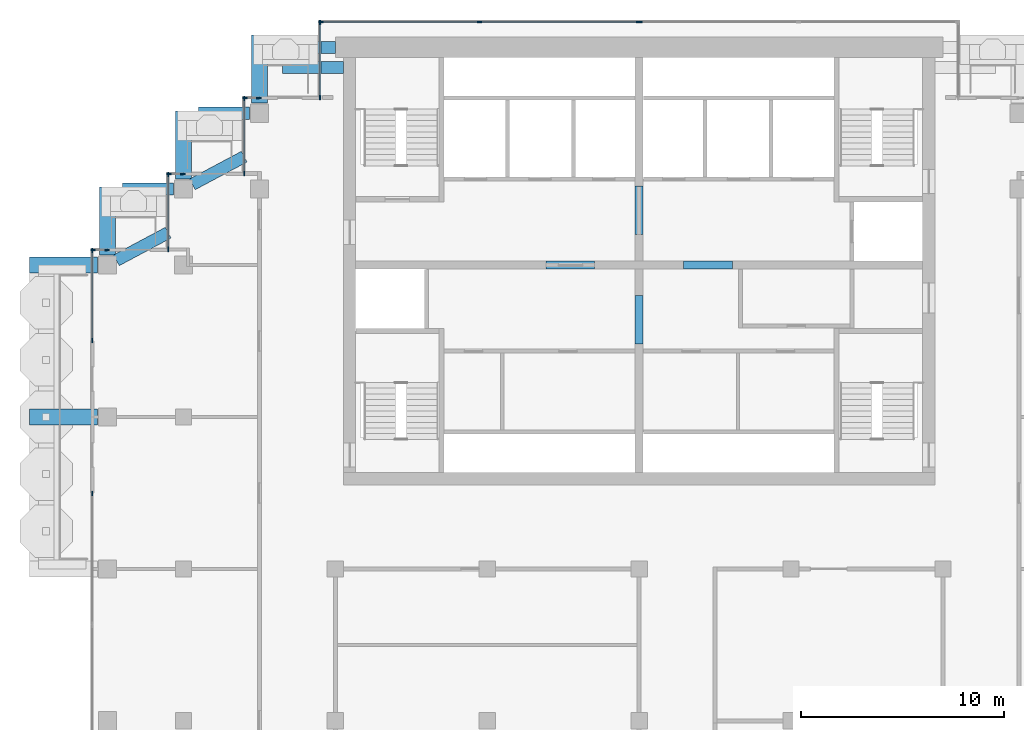
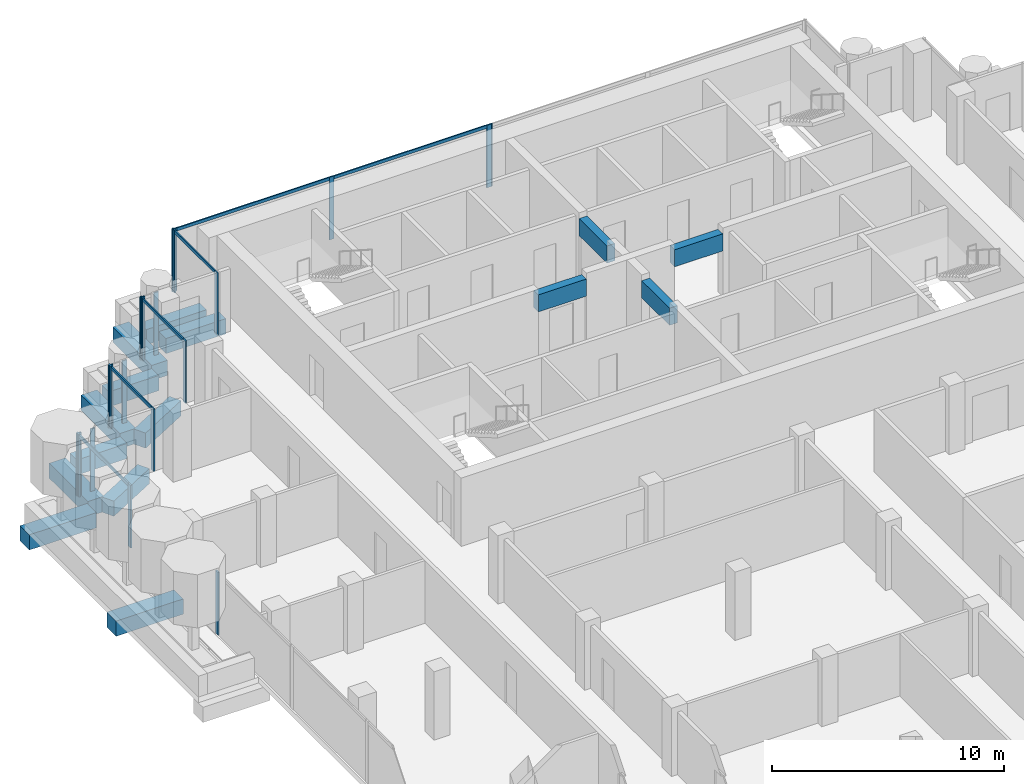
# One storey, part 5 of 18: 25 members, 15 beams, 10 elements without a shape of their own.
"""IFC4 building model written with IfcOpenShell, lengths in metres."""

from ifc_helpers import new_model, si_unit, direction, frame, origin, origin_2d, place, context, subcontext, project, spatial, rectangle, extrude, material, material_profile, profile_set, type_object, element, aggregate, save


model = new_model("IFC4")

# Units and contexts
model_context = context("Model", 3, precision=1e-05, world=origin(), true_north=direction((0.0, 1.0)))
body_context = subcontext(model_context, "Body", "Model", "MODEL_VIEW")
ifc_project = project(units=[si_unit("LENGTHUNIT", "METRE"), si_unit("AREAUNIT", "SQUARE_METRE"), si_unit("VOLUMEUNIT", "CUBIC_METRE"), si_unit("PLANEANGLEUNIT", "RADIAN"), si_unit("MASSUNIT", "GRAM", prefix="KILO")], contexts=[model_context])

# Site, building, storey
site_placement = place(None, origin())
site = spatial("IfcSite", under=ifc_project, at=site_placement, CompositionType="ELEMENT")
building_placement = place(site_placement, origin())
building = spatial("IfcBuilding", under=site, at=building_placement, Name="Pilkhan Gate Tower", CompositionType="ELEMENT")
storey_placement = place(building_placement, frame((0.0, 0.0, 228.300048828125)))
storey = spatial("IfcBuildingStorey", under=building, at=storey_placement, Name="L59", CompositionType="ELEMENT", Elevation=228.300048828125)

# Beams
ifc_material_1 = material(Name="Concrete C50/60", Category="concrete")
ifc_material_profile_1 = material_profile(ifc_material_1, rectangle(XDim=0.60009765625, YDim=0.800048828125, at=origin_2d()), Name="RC 600x800")
ifc_profile_set_1 = profile_set([ifc_material_profile_1], Name="Concrete C50/60")
beam_type_1 = type_object("IfcBeamType", Name="Cantilever beam CB1 RC 600x800 C50/60", PredefinedType="BEAM", material=ifc_profile_set_1)
for number, where, z_axis, x_axis, name in (
    (1, (60.0, 93.25, -0.699951171875), (-1.0, 0.0, 0.0), (0.0, -1.0, 0.0), "Balcony beam NW.2 L59"),
    (2, (60.39990234375, 92.25, -0.699951171875), (-1.0, 0.0, 0.0), (0.0, -1.0, 0.0), "Balcony beam NW.3 L59"),
):
    element("IfcBeam", number, at=place(storey_placement, frame(where, z_axis=z_axis, x_axis=x_axis)), inside=storey, type_object=beam_type_1, Name=name, PredefinedType="BEAM", context=body_context, shape_type="SweptSolid", body=[
        extrude(rectangle(XDim=0.60009765625, YDim=0.800048828125, at=origin_2d()), origin(), (0.0, 0.0, 1.0), 3.0),
    ])
beam_1_placement = place(storey_placement, frame((55.75, 90.0, -0.699951171875), z_axis=(-1.0, 0.0, 0.0), x_axis=(0.0, -1.0, 0.0)))
element("IfcBeam", 3, at=beam_1_placement, inside=storey, type_object=beam_type_1, Name="Balcony beam NW1.2 L59", PredefinedType="BEAM", context=body_context, shape_type="SweptSolid", body=[
    extrude(rectangle(XDim=0.60009765625, YDim=0.800048828125, at=origin_2d()), origin(), (0.0, 0.0, 1.0), 2.5),
])
beam_2_placement = place(storey_placement, frame((52.941162109375, 86.4853515625, -0.699951171875), z_axis=(0.882348280344, 0.470596974251, 0.0), x_axis=(-0.470596974251, 0.882348280344, 0.0)))
element("IfcBeam", 4, at=beam_2_placement, inside=storey, type_object=beam_type_1, Name="Balcony beam NW1.3 L59", PredefinedType="BEAM", context=body_context, shape_type="SweptSolid", body=[
    extrude(rectangle(XDim=0.60009765625, YDim=0.800048828125, at=origin_2d()), origin(), (0.0, 0.0, 1.0), 2.900146484375),
])
beam_3_placement = place(storey_placement, frame((52.0, 86.25, -0.699951171875), z_axis=(-1.0, 0.0, 0.0), x_axis=(0.0, -1.0, 0.0)))
element("IfcBeam", 5, at=beam_3_placement, inside=storey, type_object=beam_type_1, Name="Balcony beam NW2.2 L59", PredefinedType="BEAM", context=body_context, shape_type="SweptSolid", body=[
    extrude(rectangle(XDim=0.60009765625, YDim=0.800048828125, at=origin_2d()), origin(), (0.0, 0.0, 1.0), 2.5),
])
beam_4_placement = place(storey_placement, frame((49.191162109375, 82.7353515625, -0.699951171875), z_axis=(0.882348280344, 0.470596974251, 0.0), x_axis=(-0.470596974251, 0.882348280344, 0.0)))
element("IfcBeam", 6, at=beam_4_placement, inside=storey, type_object=beam_type_1, Name="Balcony beam NW2.3 L59", PredefinedType="BEAM", context=body_context, shape_type="SweptSolid", body=[
    extrude(rectangle(XDim=0.60009765625, YDim=0.800048828125, at=origin_2d()), origin(), (0.0, 0.0, 1.0), 2.900146484375),
])
ifc_material_profile_2 = material_profile(ifc_material_1, rectangle(XDim=0.800048828125, YDim=0.800048828125, at=origin_2d()), Name="RC 800x800")
ifc_profile_set_2 = profile_set([ifc_material_profile_2], Name="Concrete C50/60")
beam_type_2 = type_object("IfcBeamType", Name="Cantilever beam CB2 RC 800x800 C50/60", PredefinedType="BEAM", material=ifc_profile_set_2)
for number, where, z_axis, x_axis, name in (
    (7, (56.25, 90.5, -0.699951171875), (0.0, 1.0, 0.0), (-1.0, 0.0, 0.0), "Balcony beam NW.1 L59"),
    (8, (52.5, 86.75, -0.699951171875), (0.0, 1.0, 0.0), (-1.0, 0.0, 0.0), "Balcony beam NW1.1 L59"),
    (9, (48.75, 83.0, -0.699951171875), (0.0, 1.0, 0.0), (-1.0, 0.0, 0.0), "Balcony beam NW2.1 L59"),
    (10, (48.25, 75.0, -0.699951171875), (-1.0, 0.0, 0.0), (0.0, -1.0, 0.0), "Balcony beam W.2 L59"),
    (11, (48.25, 82.5, -0.699951171875), (-1.0, 0.0, 0.0), (0.0, -1.0, 0.0), "Balcony beam W.3 L59"),
):
    element("IfcBeam", number, at=place(storey_placement, frame(where, z_axis=z_axis, x_axis=x_axis)), inside=storey, type_object=beam_type_2, Name=name, PredefinedType="BEAM", context=body_context, shape_type="SweptSolid", body=[
        extrude(rectangle(XDim=0.800048828125, YDim=0.800048828125, at=origin_2d()), origin(), (0.0, 0.0, 1.0), 3.35009765625),
    ])
ifc_material_profile_3 = material_profile(ifc_material_1, rectangle(XDim=0.39990234375, YDim=0.89990234375, at=origin_2d()), Name="RC 400x900")
ifc_profile_set_3 = profile_set([ifc_material_profile_3], Name="Concrete C50/60")
beam_type_3 = type_object("IfcBeamType", Name="Coupling beam CB90-4 RC 400x900 C50/60", PredefinedType="LINTEL", material=ifc_profile_set_3)
for number, where, z_axis, x_axis, name in (
    (12, (70.39990234375, 82.5, 2.849853515625), (1.0, 0.0, 0.0), (0.0, 1.0, 0.0), "Coupling beam 1 L59"),
    (13, (77.199951171875, 82.5, 2.849853515625), (1.0, 0.0, 0.0), (0.0, 1.0, 0.0), "Coupling beam 2 L59"),
):
    element("IfcBeam", number, at=place(storey_placement, frame(where, z_axis=z_axis, x_axis=x_axis)), inside=storey, type_object=beam_type_3, Name=name, PredefinedType="LINTEL", context=body_context, shape_type="SweptSolid", body=[
        extrude(rectangle(XDim=0.39990234375, YDim=0.89990234375, at=origin_2d()), origin(), (0.0, 0.0, 1.0), 2.400146484375),
    ])
for number, where, z_axis, x_axis, name in (
    (14, (75.0, 78.60009765625, 2.849853515625), (0.0, 1.0, 0.0), (-1.0, 0.0, 0.0), "Coupling beam 3 L59"),
    (15, (75.0, 84.0, 2.849853515625), (0.0, 1.0, 0.0), (-1.0, 0.0, 0.0), "Coupling beam 4 L59"),
):
    element("IfcBeam", number, at=place(storey_placement, frame(where, z_axis=z_axis, x_axis=x_axis)), inside=storey, type_object=beam_type_3, Name=name, PredefinedType="LINTEL", context=body_context, shape_type="SweptSolid", body=[
        extrude(rectangle(XDim=0.39990234375, YDim=0.89990234375, at=origin_2d()), origin(), (0.0, 0.0, 1.0), 2.39990234375),
    ])

# Curtain wall, members
ifc_material_2 = material(Name="Pale anodised aluminium, clear low-iron double glazing", Category="aluminium")
curtain_wall_type = type_object("IfcCurtainWallType", Name="Office unitised curtain wall CW-O2", PredefinedType="USERDEFINED", material=ifc_material_2)
curtain_wall_1_placement = place(storey_placement, origin())
curtain_wall_1 = element("IfcCurtainWall", 16, at=curtain_wall_1_placement, inside=storey, type_object=curtain_wall_type, Name="Office unitised curtain wall CW-O2 L59 N", ObjectType="UNITISED CURTAIN WALL", PredefinedType="USERDEFINED")
ifc_material_3 = material(Name="Pale anodised aluminium", Category="aluminium")
ifc_material_profile_4 = material_profile(ifc_material_3, rectangle(XDim=0.06494140625, YDim=0.22509765625, at=origin_2d()), Name="Mullion 225x65")
ifc_profile_set_4 = profile_set([ifc_material_profile_4], Name="Pale anodised aluminium")
member_type_1 = type_object("IfcMemberType", Name="Mullion CW-O2 225x65", PredefinedType="MULLION", material=ifc_profile_set_4)
member_1_placement = place(storey_placement, frame((59.282470703125, 94.5, 0.0), z_axis=(0.0, 0.0, 1.0), x_axis=(0.0, 1.0, 0.0)))
member_1 = element("IfcMember", 17, at=member_1_placement, type_object=member_type_1, Name="CW-O2 mullion 1", PredefinedType="MULLION", context=body_context, shape_type="SweptSolid", body=[
    extrude(rectangle(XDim=0.06494140625, YDim=0.22509765625, at=origin_2d()), origin(), (0.0, 0.0, 1.0), 3.300048828125),
])
member_2_placement = place(storey_placement, frame((67.125, 94.5, 0.0), z_axis=(0.0, 0.0, 1.0), x_axis=(0.0, 1.0, 0.0)))
member_2 = element("IfcMember", 18, at=member_2_placement, type_object=member_type_1, Name="CW-O2 mullion 2", PredefinedType="MULLION", context=body_context, shape_type="SweptSolid", body=[
    extrude(rectangle(XDim=0.06494140625, YDim=0.22509765625, at=origin_2d()), origin(), (0.0, 0.0, 1.0), 3.300048828125),
])
member_3_placement = place(storey_placement, frame((74.967529296875, 94.5, 0.0), z_axis=(0.0, 0.0, 1.0), x_axis=(0.0, 1.0, 0.0)))
member_3 = element("IfcMember", 19, at=member_3_placement, type_object=member_type_1, Name="CW-O2 mullion 3", PredefinedType="MULLION", context=body_context, shape_type="SweptSolid", body=[
    extrude(rectangle(XDim=0.06494140625, YDim=0.22509765625, at=origin_2d()), origin(), (0.0, 0.0, 1.0), 3.300048828125),
])

# Curtain wall, member
curtain_wall_2_placement = place(storey_placement, origin())
curtain_wall_2 = element("IfcCurtainWall", 20, at=curtain_wall_2_placement, inside=storey, type_object=curtain_wall_type, Name="Office unitised curtain wall CW-O2 L59 N", ObjectType="UNITISED CURTAIN WALL", PredefinedType="USERDEFINED")
member_4_placement = place(storey_placement, frame((75.032470703125, 94.5, 0.0), z_axis=(0.0, 0.0, 1.0), x_axis=(0.0, 1.0, 0.0)))
member_4 = element("IfcMember", 21, at=member_4_placement, type_object=member_type_1, Name="CW-O2 mullion 1", PredefinedType="MULLION", context=body_context, shape_type="SweptSolid", body=[
    extrude(rectangle(XDim=0.06494140625, YDim=0.22509765625, at=origin_2d()), origin(), (0.0, 0.0, 1.0), 3.300048828125),
])
aggregate(curtain_wall_2, [member_4])

# Curtain wall, members
curtain_wall_3_placement = place(storey_placement, origin())
curtain_wall_3 = element("IfcCurtainWall", 22, at=curtain_wall_3_placement, inside=storey, type_object=curtain_wall_type, Name="Office unitised curtain wall CW-O2 L59 W", ObjectType="UNITISED CURTAIN WALL", PredefinedType="USERDEFINED")
member_5_placement = place(storey_placement, frame((59.25, 90.782470703125, 0.0), z_axis=(0.0, 0.0, 1.0), x_axis=(-1.0, 0.0, 0.0)))
member_5 = element("IfcMember", 23, at=member_5_placement, type_object=member_type_1, Name="CW-O2 mullion 1", PredefinedType="MULLION", context=body_context, shape_type="SweptSolid", body=[
    extrude(rectangle(XDim=0.06494140625, YDim=0.22509765625, at=origin_2d()), origin(), (0.0, 0.0, 1.0), 3.300048828125),
])
member_6_placement = place(storey_placement, frame((59.25, 94.467529296875, 0.0), z_axis=(0.0, 0.0, 1.0), x_axis=(-1.0, 0.0, 0.0)))
member_6 = element("IfcMember", 24, at=member_6_placement, type_object=member_type_1, Name="CW-O2 mullion 2", PredefinedType="MULLION", context=body_context, shape_type="SweptSolid", body=[
    extrude(rectangle(XDim=0.06494140625, YDim=0.22509765625, at=origin_2d()), origin(), (0.0, 0.0, 1.0), 3.300048828125),
])

curtain_wall_4_placement = place(storey_placement, origin())
curtain_wall_4 = element("IfcCurtainWall", 25, at=curtain_wall_4_placement, inside=storey, type_object=curtain_wall_type, Name="Office unitised curtain wall CW-O2 L59 N", ObjectType="UNITISED CURTAIN WALL", PredefinedType="USERDEFINED")
member_7_placement = place(storey_placement, frame((55.532470703125, 90.75, 0.0), z_axis=(0.0, 0.0, 1.0), x_axis=(0.0, 1.0, 0.0)))
member_7 = element("IfcMember", 26, at=member_7_placement, type_object=member_type_1, Name="CW-O2 mullion 1", PredefinedType="MULLION", context=body_context, shape_type="SweptSolid", body=[
    extrude(rectangle(XDim=0.06494140625, YDim=0.22509765625, at=origin_2d()), origin(), (0.0, 0.0, 1.0), 3.300048828125),
])
member_8_placement = place(storey_placement, frame((56.217529296875, 90.75, 0.0), z_axis=(0.0, 0.0, 1.0), x_axis=(0.0, 1.0, 0.0)))
member_8 = element("IfcMember", 27, at=member_8_placement, type_object=member_type_1, Name="CW-O2 mullion 2", PredefinedType="MULLION", context=body_context, shape_type="SweptSolid", body=[
    extrude(rectangle(XDim=0.06494140625, YDim=0.22509765625, at=origin_2d()), origin(), (0.0, 0.0, 1.0), 3.300048828125),
])
aggregate(curtain_wall_4, [member_7, member_8])

curtain_wall_5_placement = place(storey_placement, origin())
curtain_wall_5 = element("IfcCurtainWall", 28, at=curtain_wall_5_placement, inside=storey, type_object=curtain_wall_type, Name="Office unitised curtain wall CW-O2 L59 W", ObjectType="UNITISED CURTAIN WALL", PredefinedType="USERDEFINED")
member_9_placement = place(storey_placement, frame((55.5, 87.032470703125, 0.0), z_axis=(0.0, 0.0, 1.0), x_axis=(-1.0, 0.0, 0.0)))
member_9 = element("IfcMember", 29, at=member_9_placement, type_object=member_type_1, Name="CW-O2 mullion 1", PredefinedType="MULLION", context=body_context, shape_type="SweptSolid", body=[
    extrude(rectangle(XDim=0.06494140625, YDim=0.22509765625, at=origin_2d()), origin(), (0.0, 0.0, 1.0), 3.300048828125),
])
member_10_placement = place(storey_placement, frame((55.5, 90.717529296875, 0.0), z_axis=(0.0, 0.0, 1.0), x_axis=(-1.0, 0.0, 0.0)))
member_10 = element("IfcMember", 30, at=member_10_placement, type_object=member_type_1, Name="CW-O2 mullion 2", PredefinedType="MULLION", context=body_context, shape_type="SweptSolid", body=[
    extrude(rectangle(XDim=0.06494140625, YDim=0.22509765625, at=origin_2d()), origin(), (0.0, 0.0, 1.0), 3.300048828125),
])

curtain_wall_6_placement = place(storey_placement, origin())
curtain_wall_6 = element("IfcCurtainWall", 31, at=curtain_wall_6_placement, inside=storey, type_object=curtain_wall_type, Name="Office unitised curtain wall CW-O2 L59 N", ObjectType="UNITISED CURTAIN WALL", PredefinedType="USERDEFINED")
member_11_placement = place(storey_placement, frame((51.782470703125, 87.0, 0.0), z_axis=(0.0, 0.0, 1.0), x_axis=(0.0, 1.0, 0.0)))
member_11 = element("IfcMember", 32, at=member_11_placement, type_object=member_type_1, Name="CW-O2 mullion 1", PredefinedType="MULLION", context=body_context, shape_type="SweptSolid", body=[
    extrude(rectangle(XDim=0.06494140625, YDim=0.22509765625, at=origin_2d()), origin(), (0.0, 0.0, 1.0), 3.300048828125),
])
member_12_placement = place(storey_placement, frame((52.467529296875, 87.0, 0.0), z_axis=(0.0, 0.0, 1.0), x_axis=(0.0, 1.0, 0.0)))
member_12 = element("IfcMember", 33, at=member_12_placement, type_object=member_type_1, Name="CW-O2 mullion 2", PredefinedType="MULLION", context=body_context, shape_type="SweptSolid", body=[
    extrude(rectangle(XDim=0.06494140625, YDim=0.22509765625, at=origin_2d()), origin(), (0.0, 0.0, 1.0), 3.300048828125),
])
aggregate(curtain_wall_6, [member_11, member_12])

curtain_wall_7_placement = place(storey_placement, origin())
curtain_wall_7 = element("IfcCurtainWall", 34, at=curtain_wall_7_placement, inside=storey, type_object=curtain_wall_type, Name="Office unitised curtain wall CW-O2 L59 W", ObjectType="UNITISED CURTAIN WALL", PredefinedType="USERDEFINED")
member_13_placement = place(storey_placement, frame((51.75, 83.282470703125, 0.0), z_axis=(0.0, 0.0, 1.0), x_axis=(-1.0, 0.0, 0.0)))
member_13 = element("IfcMember", 35, at=member_13_placement, type_object=member_type_1, Name="CW-O2 mullion 1", PredefinedType="MULLION", context=body_context, shape_type="SweptSolid", body=[
    extrude(rectangle(XDim=0.06494140625, YDim=0.22509765625, at=origin_2d()), origin(), (0.0, 0.0, 1.0), 3.300048828125),
])
member_14_placement = place(storey_placement, frame((51.75, 86.967529296875, 0.0), z_axis=(0.0, 0.0, 1.0), x_axis=(-1.0, 0.0, 0.0)))
member_14 = element("IfcMember", 36, at=member_14_placement, type_object=member_type_1, Name="CW-O2 mullion 2", PredefinedType="MULLION", context=body_context, shape_type="SweptSolid", body=[
    extrude(rectangle(XDim=0.06494140625, YDim=0.22509765625, at=origin_2d()), origin(), (0.0, 0.0, 1.0), 3.300048828125),
])

curtain_wall_8_placement = place(storey_placement, origin())
curtain_wall_8 = element("IfcCurtainWall", 37, at=curtain_wall_8_placement, inside=storey, type_object=curtain_wall_type, Name="Office unitised curtain wall CW-O2 L59 N", ObjectType="UNITISED CURTAIN WALL", PredefinedType="USERDEFINED")
member_15_placement = place(storey_placement, frame((48.032470703125, 83.25, 0.0), z_axis=(0.0, 0.0, 1.0), x_axis=(0.0, 1.0, 0.0)))
member_15 = element("IfcMember", 38, at=member_15_placement, type_object=member_type_1, Name="CW-O2 mullion 1", PredefinedType="MULLION", context=body_context, shape_type="SweptSolid", body=[
    extrude(rectangle(XDim=0.06494140625, YDim=0.22509765625, at=origin_2d()), origin(), (0.0, 0.0, 1.0), 3.300048828125),
])
member_16_placement = place(storey_placement, frame((48.717529296875, 83.25, 0.0), z_axis=(0.0, 0.0, 1.0), x_axis=(0.0, 1.0, 0.0)))
member_16 = element("IfcMember", 39, at=member_16_placement, type_object=member_type_1, Name="CW-O2 mullion 2", PredefinedType="MULLION", context=body_context, shape_type="SweptSolid", body=[
    extrude(rectangle(XDim=0.06494140625, YDim=0.22509765625, at=origin_2d()), origin(), (0.0, 0.0, 1.0), 3.300048828125),
])
aggregate(curtain_wall_8, [member_15, member_16])

# Curtain wall, member
curtain_wall_9_placement = place(storey_placement, origin())
curtain_wall_9 = element("IfcCurtainWall", 40, at=curtain_wall_9_placement, inside=storey, type_object=curtain_wall_type, Name="Office unitised curtain wall CW-O2 L59 W", ObjectType="UNITISED CURTAIN WALL", PredefinedType="USERDEFINED")
member_17_placement = place(storey_placement, frame((48.0, 71.217529296875, 0.0), z_axis=(0.0, 0.0, 1.0), x_axis=(-1.0, 0.0, 0.0)))
member_17 = element("IfcMember", 41, at=member_17_placement, type_object=member_type_1, Name="CW-O2 mullion 2", PredefinedType="MULLION", context=body_context, shape_type="SweptSolid", body=[
    extrude(rectangle(XDim=0.06494140625, YDim=0.22509765625, at=origin_2d()), origin(), (0.0, 0.0, 1.0), 3.300048828125),
])
aggregate(curtain_wall_9, [member_17])

# Curtain wall, members
curtain_wall_10_placement = place(storey_placement, origin())
curtain_wall_10 = element("IfcCurtainWall", 42, at=curtain_wall_10_placement, inside=storey, type_object=curtain_wall_type, Name="Office unitised curtain wall CW-O2 L59 W", ObjectType="UNITISED CURTAIN WALL", PredefinedType="USERDEFINED")
member_18_placement = place(storey_placement, frame((48.0, 78.782470703125, 0.0), z_axis=(0.0, 0.0, 1.0), x_axis=(-1.0, 0.0, 0.0)))
member_18 = element("IfcMember", 43, at=member_18_placement, type_object=member_type_1, Name="CW-O2 mullion 1", PredefinedType="MULLION", context=body_context, shape_type="SweptSolid", body=[
    extrude(rectangle(XDim=0.06494140625, YDim=0.22509765625, at=origin_2d()), origin(), (0.0, 0.0, 1.0), 3.300048828125),
])
member_19_placement = place(storey_placement, frame((48.0, 83.217529296875, 0.0), z_axis=(0.0, 0.0, 1.0), x_axis=(-1.0, 0.0, 0.0)))
member_19 = element("IfcMember", 44, at=member_19_placement, type_object=member_type_1, Name="CW-O2 mullion 2", PredefinedType="MULLION", context=body_context, shape_type="SweptSolid", body=[
    extrude(rectangle(XDim=0.06494140625, YDim=0.22509765625, at=origin_2d()), origin(), (0.0, 0.0, 1.0), 3.300048828125),
])

# Member
ifc_material_profile_5 = material_profile(ifc_material_3, rectangle(XDim=0.06494140625, YDim=0.1650390625, at=origin_2d()), Name="Transom 165x65")
ifc_profile_set_5 = profile_set([ifc_material_profile_5], Name="Pale anodised aluminium")
member_type_2 = type_object("IfcMemberType", Name="Transom CW-O2 165x65", PredefinedType="USERDEFINED", material=ifc_profile_set_5)
member_20_placement = place(storey_placement, frame((59.31494140625, 94.5, 3.217529296875), z_axis=(1.0, 0.0, 0.0), x_axis=(0.0, 1.0, 0.0)))
member_20 = element("IfcMember", 45, at=member_20_placement, type_object=member_type_2, Name="CW-O2 transom 1", ObjectType="TRANSOM", PredefinedType="USERDEFINED", context=body_context, shape_type="SweptSolid", body=[
    extrude(rectangle(XDim=0.06494140625, YDim=0.1650390625, at=origin_2d()), origin(), (0.0, 0.0, 1.0), 7.777587890625),
])

member_21_placement = place(storey_placement, frame((67.157470703125, 94.5, 3.217529296875), z_axis=(1.0, 0.0, 0.0), x_axis=(0.0, 1.0, 0.0)))
member_21 = element("IfcMember", 46, at=member_21_placement, type_object=member_type_2, Name="CW-O2 transom 2", ObjectType="TRANSOM", PredefinedType="USERDEFINED", context=body_context, shape_type="SweptSolid", body=[
    extrude(rectangle(XDim=0.06494140625, YDim=0.1650390625, at=origin_2d()), origin(), (0.0, 0.0, 1.0), 7.777587890625),
])

aggregate(curtain_wall_1, [member_1, member_2, member_3, member_20, member_21])

member_22_placement = place(storey_placement, frame((59.25, 90.81494140625, 3.217529296875), z_axis=(0.0, 1.0, 0.0), x_axis=(-1.0, 0.0, 0.0)))
member_22 = element("IfcMember", 47, at=member_22_placement, type_object=member_type_2, Name="CW-O2 transom 1", ObjectType="TRANSOM", PredefinedType="USERDEFINED", context=body_context, shape_type="SweptSolid", body=[
    extrude(rectangle(XDim=0.06494140625, YDim=0.1650390625, at=origin_2d()), origin(), (0.0, 0.0, 1.0), 3.6201171875),
])

aggregate(curtain_wall_3, [member_5, member_6, member_22])

member_23_placement = place(storey_placement, frame((55.5, 87.06494140625, 3.217529296875), z_axis=(0.0, 1.0, 0.0), x_axis=(-1.0, 0.0, 0.0)))
member_23 = element("IfcMember", 48, at=member_23_placement, type_object=member_type_2, Name="CW-O2 transom 1", ObjectType="TRANSOM", PredefinedType="USERDEFINED", context=body_context, shape_type="SweptSolid", body=[
    extrude(rectangle(XDim=0.06494140625, YDim=0.1650390625, at=origin_2d()), origin(), (0.0, 0.0, 1.0), 3.6201171875),
])

aggregate(curtain_wall_5, [member_9, member_10, member_23])

member_24_placement = place(storey_placement, frame((51.75, 83.31494140625, 3.217529296875), z_axis=(0.0, 1.0, 0.0), x_axis=(-1.0, 0.0, 0.0)))
member_24 = element("IfcMember", 49, at=member_24_placement, type_object=member_type_2, Name="CW-O2 transom 1", ObjectType="TRANSOM", PredefinedType="USERDEFINED", context=body_context, shape_type="SweptSolid", body=[
    extrude(rectangle(XDim=0.06494140625, YDim=0.1650390625, at=origin_2d()), origin(), (0.0, 0.0, 1.0), 3.6201171875),
])

aggregate(curtain_wall_7, [member_13, member_14, member_24])

member_25_placement = place(storey_placement, frame((48.0, 78.81494140625, 3.217529296875), z_axis=(0.0, 1.0, 0.0), x_axis=(-1.0, 0.0, 0.0)))
member_25 = element("IfcMember", 50, at=member_25_placement, type_object=member_type_2, Name="CW-O2 transom 1", ObjectType="TRANSOM", PredefinedType="USERDEFINED", context=body_context, shape_type="SweptSolid", body=[
    extrude(rectangle(XDim=0.06494140625, YDim=0.1650390625, at=origin_2d()), origin(), (0.0, 0.0, 1.0), 4.3701171875),
])

aggregate(curtain_wall_10, [member_18, member_19, member_25])

save(model, "model.ifc")
